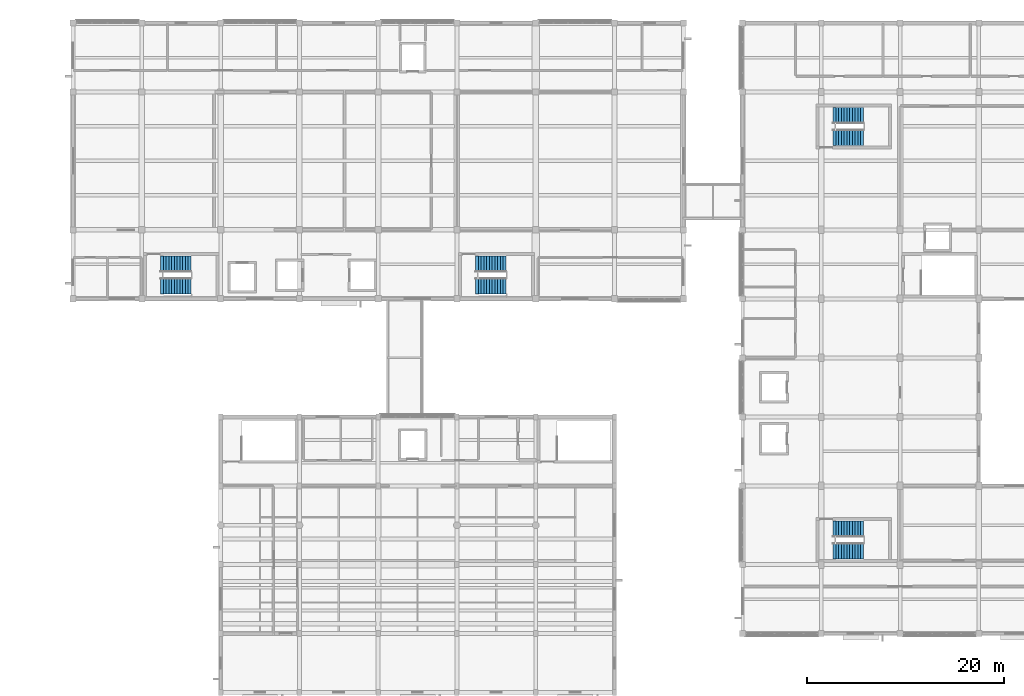
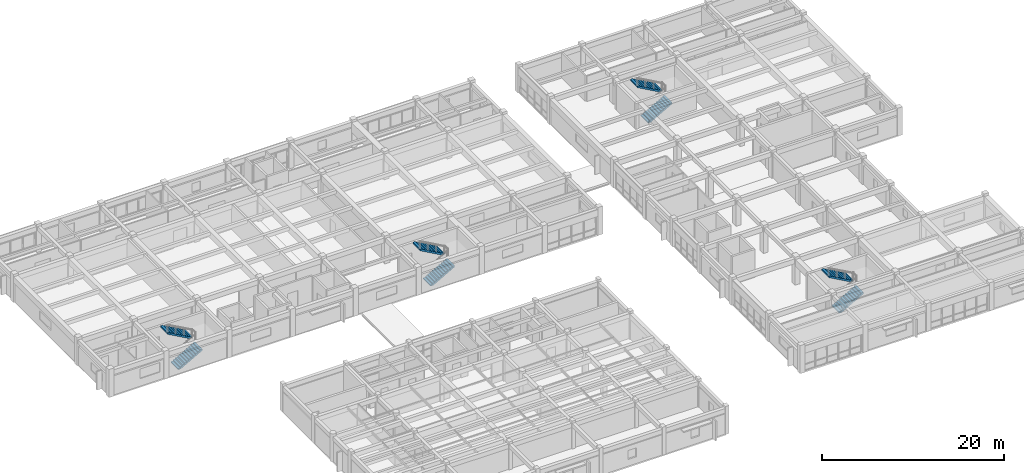
# One storey, part 29 of 33: 8 stair flights, 4 elements without a shape of their own.
"""IFC4 building model written with IfcOpenShell, lengths in metres."""

import ifcopenshell
import ifcopenshell.guid

model = None  # the IFC model being written
_history = None  # IfcOwnerHistory: only IFC2X3 demands one
_inside = {}  # id of a spatial element -> (the spatial element, [elements in it])
_under = {}  # id of a project, library or spatial element -> (it, [spatial elements below it])
_declared = {}  # id of a project -> (the project, [libraries it declares])
_typed = {}  # id of a type object -> (the type object, [elements of that type])
_made_of = {}  # id of a material, layer set ... -> (it, [elements and type objects made of it])


def new_model(schema):
    """Start an empty IFC model of exactly this schema.

    Asked for "IFC4X3", IfcOpenShell would pick the latest addendum, in which some entities
    have other attributes; the version numbers below select the first issue.
    IFC2X3 requires an IfcOwnerHistory on every rooted entity: one is made here for all.
    """
    global model, _history
    if schema == "IFC4X3":
        model = ifcopenshell.file(schema_version=(4, 3, 0, 0))
    else:
        model = ifcopenshell.file(schema=schema)
    _inside.clear()
    _under.clear()
    _declared.clear()
    _typed.clear()
    _made_of.clear()
    _history = None
    if model.schema == "IFC2X3":
        org = make("IfcOrganization", Name="unknown")
        user = make(
            "IfcPersonAndOrganization",
            ThePerson=make("IfcPerson", FamilyName="unknown"),
            TheOrganization=org,
        )
        app = make(
            "IfcApplication",
            ApplicationDeveloper=org,
            Version="unknown",
            ApplicationFullName="unknown",
            ApplicationIdentifier="unknown",
        )
        _history = make(
            "IfcOwnerHistory",
            OwningUser=user,
            OwningApplication=app,
            ChangeAction="ADDED",
            CreationDate=0,
        )
    return model


def make(cls, **values):
    """One entity of the class cls with the attributes given. An attribute that is None is left unset."""
    return model.create_entity(
        cls, **{name: value for name, value in values.items() if value is not None}
    )


def rooted(cls, **values):
    """An entity with a GlobalId (a new one), such as an element, a storey or a relation."""
    return make(cls, GlobalId=ifcopenshell.guid.new(), OwnerHistory=_history, **values)


def si_unit(unit_type, name, prefix=None):
    """IfcSIUnit, for example si_unit("LENGTHUNIT", "METRE", prefix="MILLI")."""
    return make("IfcSIUnit", UnitType=unit_type, Prefix=prefix, Name=name)


def assignment(units):
    """IfcUnitAssignment: the units of a project."""
    return None if units is None else make("IfcUnitAssignment", Units=units)


def point(xyz):
    """IfcCartesianPoint."""
    return None if xyz is None else make("IfcCartesianPoint", Coordinates=xyz)


def direction(xyz):
    """IfcDirection."""
    return None if xyz is None else make("IfcDirection", DirectionRatios=xyz)


def frame(location, z_axis=None, x_axis=None):
    """IfcAxis2Placement3D, a coordinate frame: its origin and axes. An axis left out is left unset."""
    return make(
        "IfcAxis2Placement3D",
        Location=point(location),
        Axis=direction(z_axis),
        RefDirection=direction(x_axis),
    )


def origin():
    """The frame at (0, 0, 0) with its axes left unset."""
    return frame((0.0, 0.0, 0.0))


def place(relative_to, where):
    """IfcLocalPlacement: puts the frame where relative to a parent placement (None: the world)."""
    return make(
        "IfcLocalPlacement", PlacementRelTo=relative_to, RelativePlacement=where
    )


def context(
    kind, dimensions, precision=None, world=None, true_north=None, identifier=None
):
    """IfcGeometricRepresentationContext, for example the 3D "Model" context."""
    return make(
        "IfcGeometricRepresentationContext",
        ContextIdentifier=identifier,
        ContextType=kind,
        CoordinateSpaceDimension=dimensions,
        Precision=precision,
        WorldCoordinateSystem=world,
        TrueNorth=true_north,
    )


def subcontext(parent, identifier, kind, view, scale=None):
    """IfcGeometricRepresentationSubContext, for example "Body" below "Model"."""
    return make(
        "IfcGeometricRepresentationSubContext",
        ContextIdentifier=identifier,
        ContextType=kind,
        ParentContext=parent,
        TargetScale=scale,
        TargetView=view,
    )


def project(units=None, contexts=None):
    """IfcProject with its units and contexts."""
    return rooted(
        "IfcProject",
        Name="project",
        RepresentationContexts=contexts,
        UnitsInContext=assignment(units),
    )


def spatial(cls, under=None, at=None, **own):
    """A site, building, storey or space (cls), placed at a placement, below another one or the project."""
    s = rooted(cls, ObjectPlacement=at, **own)
    if under is not None:
        _under.setdefault(under.id(), (under, []))[1].append(s)
    return s


def polyline(points):
    """IfcPolyline through the points."""
    return make("IfcPolyline", Points=[point(p) for p in points])


def outline(outer, holes=None, kind="AREA"):
    """IfcArbitraryClosedProfileDef: a profile drawn as a closed curve; with holes, ...WithVoids."""
    if holes is None:
        return make("IfcArbitraryClosedProfileDef", ProfileType=kind, OuterCurve=outer)
    return make(
        "IfcArbitraryProfileDefWithVoids",
        ProfileType=kind,
        OuterCurve=outer,
        InnerCurves=holes,
    )


def extrude(swept, where, along, depth):
    """IfcExtrudedAreaSolid: the profile swept, set in the frame where, extruded along a direction by depth."""
    return make(
        "IfcExtrudedAreaSolid",
        SweptArea=swept,
        Position=where,
        ExtrudedDirection=direction(along),
        Depth=depth,
    )


def shape(context_of_items, identifier, shape_type, items):
    """IfcShapeRepresentation: the items that make up one representation, for example the "Body"."""
    return make(
        "IfcShapeRepresentation",
        ContextOfItems=context_of_items,
        RepresentationIdentifier=identifier,
        RepresentationType=shape_type,
        Items=items,
    )


def material(Name=None, Category=None):
    """IfcMaterial."""
    return make("IfcMaterial", Name=Name, Category=Category)


def made_of(thing, what):
    """Note that an element or type object is made of a material, layer set ...; save() writes the relation."""
    if what is not None:
        _made_of.setdefault(what.id(), (what, []))[1].append(thing)
    return thing


def type_object(cls, material=None, **own):
    """A type object (cls), such as IfcWallType, which elements share."""
    return made_of(rooted(cls, **own), material)


def element(
    cls,
    number,
    at=None,
    inside=None,
    cuts=None,
    type_object=None,
    material=None,
    context=None,
    identifier="Body",
    shape_type=None,
    held_by="IfcProductDefinitionShape",
    body=None,
    shapes=None,
    **own,
):
    """One element of the class cls, such as IfcWall. Its Tag is "e" and its number.

    at: its placement. inside: the storey or other place that contains it. cuts: it is an
    opening in that element (IfcRelVoidsElement). A single representation is given by context,
    identifier, shape_type and body (its items); several are given by shapes. held_by: the class
    of the entity that holds the representations. save() writes the other relations.
    """
    e = rooted(cls, Tag="e%d" % number, ObjectPlacement=at, **own)
    if body is not None:
        shapes = [shape(context, identifier, shape_type, body)]
    if shapes is not None:
        e.Representation = make(held_by, Representations=shapes)
    if inside is not None:
        _inside.setdefault(inside.id(), (inside, []))[1].append(e)
    if cuts is not None:
        rooted(
            "IfcRelVoidsElement", RelatingBuildingElement=cuts, RelatedOpeningElement=e
        )
    if type_object is not None:
        _typed.setdefault(type_object.id(), (type_object, []))[1].append(e)
    return made_of(e, material)


def aggregate(whole, parts):
    """IfcRelAggregates: a whole, such as a stair, and the parts it consists of."""
    return rooted("IfcRelAggregates", RelatingObject=whole, RelatedObjects=parts)


def save(model, path):
    """Write the relations noted so far, then the file.

    IfcRelAggregates (storeys below a building ...), IfcRelContainedInSpatialStructure (elements
    in a storey), IfcRelDefinesByType, IfcRelAssociatesMaterial and IfcRelDeclares: one each for
    every whole, place, type object, material and project.
    """
    for whole, parts in _under.values():
        aggregate(whole, parts)
    for where, things in _inside.values():
        rooted(
            "IfcRelContainedInSpatialStructure",
            RelatedElements=things,
            RelatingStructure=where,
        )
    for kind, things in _typed.values():
        rooted("IfcRelDefinesByType", RelatedObjects=things, RelatingType=kind)
    for what, things in _made_of.values():
        rooted("IfcRelAssociatesMaterial", RelatedObjects=things, RelatingMaterial=what)
    for by, libraries in _declared.values():
        rooted("IfcRelDeclares", RelatingContext=by, RelatedDefinitions=libraries)
    model.write(path)


model = new_model("IFC4")

# Units and contexts
model_context = context("Model", 3, precision=1e-05, world=origin(), true_north=direction((0.0, 1.0)))
body_context = subcontext(model_context, "Body", "Model", "MODEL_VIEW")
ifc_project = project(units=[si_unit("LENGTHUNIT", "METRE"), si_unit("AREAUNIT", "SQUARE_METRE"), si_unit("VOLUMEUNIT", "CUBIC_METRE"), si_unit("PLANEANGLEUNIT", "RADIAN"), si_unit("MASSUNIT", "GRAM", prefix="KILO")], contexts=[model_context])

# Site, building, storey
site_placement = place(None, origin())
site = spatial("IfcSite", under=ifc_project, at=site_placement, CompositionType="ELEMENT")
building_placement = place(site_placement, origin())
building = spatial("IfcBuilding", under=site, at=building_placement, Name="Naurynzar Civic Courthouse", CompositionType="ELEMENT")
storey_placement = place(building_placement, frame((0.0, 0.0, 22.050048828125)))
storey = spatial("IfcBuildingStorey", under=building, at=storey_placement, Name="L06", CompositionType="ELEMENT", Elevation=22.050048828125)

# Stair, stair flights
ifc_material_1 = material(Name="Concrete C35/45", Category="concrete")
stair_type = type_object("IfcStairType", Name="STAIR-CORE-1600", PredefinedType="TWO_STRAIGHT_RUN_STAIR", material=ifc_material_1)
stair_1_placement = place(storey_placement, origin())
stair_1 = element("IfcStair", 1, at=stair_1_placement, inside=storey, type_object=stair_type, Name="Enclosed escape stair ST-V2A L06", PredefinedType="TWO_STRAIGHT_RUN_STAIR")
ifc_material_2 = material(Name="Concrete C35/45", Category="concrete")
stair_flight_type = type_object("IfcStairFlightType", Name="FLIGHT-RC-1600", PredefinedType="STRAIGHT", material=ifc_material_2)
stair_flight_1_placement = place(storey_placement, frame((70.89990234375, 45.280029296875, 0.0), z_axis=(0.0, 0.0, 1.0), x_axis=(1.0, 0.0, 0.0)))
stair_flight_1 = element("IfcStairFlight", 2, at=stair_flight_1_placement, type_object=stair_flight_type, Name="ST-V2A-L06 flight 1", NumberOfRisers=12, NumberOfTreads=11, PredefinedType="STRAIGHT", RiserHeight=0.15625, TreadLength=0.28, context=body_context, shape_type="SweptSolid", body=[
    extrude(outline(polyline([(0.0, 0.0), (0.0, 0.15625), (0.280029296875, 0.15625), (0.280029296875, 0.3125), (0.56005859375, 0.3125), (0.56005859375, 0.46875), (0.840087890625, 0.46875), (0.840087890625, 0.625), (1.1201171875, 0.625), (1.1201171875, 0.78125), (1.39990234375, 0.78125), (1.39990234375, 0.9375), (1.679931640625, 0.9375), (1.679931640625, 1.09375), (1.9599609375, 1.09375), (1.9599609375, 1.25), (2.239990234375, 1.25), (2.239990234375, 1.40625), (2.52001953125, 1.40625), (2.52001953125, 1.5625), (2.800048828125, 1.5625), (2.800048828125, 1.71875), (3.080078125, 1.71875), (3.080078125, 1.875), (3.080078125, 1.5126953125), (0.369140625, 0.0), (0.0, 0.0)])), frame((0.0, 0.800048828125, 0.0), z_axis=(0.0, -1.0, 0.0), x_axis=(1.0, 0.0, 0.0)), (0.0, 0.0, 1.0), 1.60009765625),
])
stair_flight_2_placement = place(storey_placement, frame((73.97998046875, 47.52001953125, 1.875), z_axis=(0.0, 0.0, 1.0), x_axis=(-1.0, 0.0, 0.0)))
stair_flight_2 = element("IfcStairFlight", 3, at=stair_flight_2_placement, type_object=stair_flight_type, Name="ST-V2A-L06 flight 2", NumberOfRisers=12, NumberOfTreads=11, PredefinedType="STRAIGHT", RiserHeight=0.15625, TreadLength=0.28, context=body_context, shape_type="SweptSolid", body=[
    extrude(outline(polyline([(0.0, 0.0), (0.0, 0.15625), (0.280029296875, 0.15625), (0.280029296875, 0.3125), (0.56005859375, 0.3125), (0.56005859375, 0.46875), (0.840087890625, 0.46875), (0.840087890625, 0.625), (1.1201171875, 0.625), (1.1201171875, 0.78125), (1.39990234375, 0.78125), (1.39990234375, 0.9375), (1.679931640625, 0.9375), (1.679931640625, 1.09375), (1.9599609375, 1.09375), (1.9599609375, 1.25), (2.239990234375, 1.25), (2.239990234375, 1.40625), (2.52001953125, 1.40625), (2.52001953125, 1.5625), (2.800048828125, 1.5625), (2.800048828125, 1.71875), (3.080078125, 1.71875), (3.080078125, 1.875), (3.080078125, 1.5126953125), (0.369140625, 0.0), (0.0, 0.0)])), frame((0.0, 0.800048828125, 0.0), z_axis=(0.0, -1.0, 0.0), x_axis=(1.0, 0.0, 0.0)), (0.0, 0.0, 1.0), 1.60009765625),
])
aggregate(stair_1, [stair_flight_1, stair_flight_2])

stair_2_placement = place(storey_placement, origin())
stair_2 = element("IfcStair", 4, at=stair_2_placement, inside=storey, type_object=stair_type, Name="Enclosed escape stair ST-V2B L06", PredefinedType="TWO_STRAIGHT_RUN_STAIR")
stair_flight_3_placement = place(storey_placement, frame((102.89990234375, 45.280029296875, 0.0), z_axis=(0.0, 0.0, 1.0), x_axis=(1.0, 0.0, 0.0)))
stair_flight_3 = element("IfcStairFlight", 5, at=stair_flight_3_placement, type_object=stair_flight_type, Name="ST-V2B-L06 flight 1", NumberOfRisers=12, NumberOfTreads=11, PredefinedType="STRAIGHT", RiserHeight=0.15625, TreadLength=0.28, context=body_context, shape_type="SweptSolid", body=[
    extrude(outline(polyline([(0.0, 0.0), (0.0, 0.15625), (0.280029296875, 0.15625), (0.280029296875, 0.3125), (0.56005859375, 0.3125), (0.56005859375, 0.46875), (0.840087890625, 0.46875), (0.840087890625, 0.625), (1.1201171875, 0.625), (1.1201171875, 0.78125), (1.39990234375, 0.78125), (1.39990234375, 0.9375), (1.679931640625, 0.9375), (1.679931640625, 1.09375), (1.9599609375, 1.09375), (1.9599609375, 1.25), (2.239990234375, 1.25), (2.239990234375, 1.40625), (2.52001953125, 1.40625), (2.52001953125, 1.5625), (2.800048828125, 1.5625), (2.800048828125, 1.71875), (3.080078125, 1.71875), (3.080078125, 1.875), (3.080078125, 1.5126953125), (0.369140625, 0.0), (0.0, 0.0)])), frame((0.0, 0.800048828125, 0.0), z_axis=(0.0, -1.0, 0.0), x_axis=(1.0, 0.0, 0.0)), (0.0, 0.0, 1.0), 1.60009765625),
])
stair_flight_4_placement = place(storey_placement, frame((105.97998046875, 47.52001953125, 1.875), z_axis=(0.0, 0.0, 1.0), x_axis=(-1.0, 0.0, 0.0)))
stair_flight_4 = element("IfcStairFlight", 6, at=stair_flight_4_placement, type_object=stair_flight_type, Name="ST-V2B-L06 flight 2", NumberOfRisers=12, NumberOfTreads=11, PredefinedType="STRAIGHT", RiserHeight=0.15625, TreadLength=0.28, context=body_context, shape_type="SweptSolid", body=[
    extrude(outline(polyline([(0.0, 0.0), (0.0, 0.15625), (0.280029296875, 0.15625), (0.280029296875, 0.3125), (0.56005859375, 0.3125), (0.56005859375, 0.46875), (0.840087890625, 0.46875), (0.840087890625, 0.625), (1.1201171875, 0.625), (1.1201171875, 0.78125), (1.39990234375, 0.78125), (1.39990234375, 0.9375), (1.679931640625, 0.9375), (1.679931640625, 1.09375), (1.9599609375, 1.09375), (1.9599609375, 1.25), (2.239990234375, 1.25), (2.239990234375, 1.40625), (2.52001953125, 1.40625), (2.52001953125, 1.5625), (2.800048828125, 1.5625), (2.800048828125, 1.71875), (3.080078125, 1.71875), (3.080078125, 1.875), (3.080078125, 1.5126953125), (0.369140625, 0.0), (0.0, 0.0)])), frame((0.0, 0.800048828125, 0.0), z_axis=(0.0, -1.0, 0.0), x_axis=(1.0, 0.0, 0.0)), (0.0, 0.0, 1.0), 1.60009765625),
])
aggregate(stair_2, [stair_flight_3, stair_flight_4])

stair_3_placement = place(storey_placement, origin())
stair_3 = element("IfcStair", 7, at=stair_3_placement, inside=storey, type_object=stair_type, Name="Enclosed escape stair ST-V5A L06", PredefinedType="TWO_STRAIGHT_RUN_STAIR")
stair_flight_5_placement = place(storey_placement, frame((139.199951171875, 18.3798828125, 0.0), z_axis=(0.0, 0.0, 1.0), x_axis=(1.0, 0.0, 0.0)))
stair_flight_5 = element("IfcStairFlight", 8, at=stair_flight_5_placement, type_object=stair_flight_type, Name="ST-V5A-L06 flight 1", NumberOfRisers=12, NumberOfTreads=11, PredefinedType="STRAIGHT", RiserHeight=0.15625, TreadLength=0.28, context=body_context, shape_type="SweptSolid", body=[
    extrude(outline(polyline([(0.0, 0.0), (0.0, 0.15625), (0.280029296875, 0.15625), (0.280029296875, 0.3125), (0.56005859375, 0.3125), (0.56005859375, 0.46875), (0.840087890625, 0.46875), (0.840087890625, 0.625), (1.1201171875, 0.625), (1.1201171875, 0.78125), (1.39990234375, 0.78125), (1.39990234375, 0.9375), (1.679931640625, 0.9375), (1.679931640625, 1.09375), (1.9599609375, 1.09375), (1.9599609375, 1.25), (2.239990234375, 1.25), (2.239990234375, 1.40625), (2.52001953125, 1.40625), (2.52001953125, 1.5625), (2.800048828125, 1.5625), (2.800048828125, 1.71875), (3.080078125, 1.71875), (3.080078125, 1.875), (3.080078125, 1.5126953125), (0.369140625, 0.0), (0.0, 0.0)])), frame((0.0, 0.800048828125, 0.0), z_axis=(0.0, -1.0, 0.0), x_axis=(1.0, 0.0, 0.0)), (0.0, 0.0, 1.0), 1.60009765625),
])
stair_flight_6_placement = place(storey_placement, frame((142.280029296875, 20.6201171875, 1.875), z_axis=(0.0, 0.0, 1.0), x_axis=(-1.0, 0.0, 0.0)))
stair_flight_6 = element("IfcStairFlight", 9, at=stair_flight_6_placement, type_object=stair_flight_type, Name="ST-V5A-L06 flight 2", NumberOfRisers=12, NumberOfTreads=11, PredefinedType="STRAIGHT", RiserHeight=0.15625, TreadLength=0.28, context=body_context, shape_type="SweptSolid", body=[
    extrude(outline(polyline([(0.0, 0.0), (0.0, 0.15625), (0.280029296875, 0.15625), (0.280029296875, 0.3125), (0.56005859375, 0.3125), (0.56005859375, 0.46875), (0.840087890625, 0.46875), (0.840087890625, 0.625), (1.1201171875, 0.625), (1.1201171875, 0.78125), (1.39990234375, 0.78125), (1.39990234375, 0.9375), (1.679931640625, 0.9375), (1.679931640625, 1.09375), (1.9599609375, 1.09375), (1.9599609375, 1.25), (2.239990234375, 1.25), (2.239990234375, 1.40625), (2.52001953125, 1.40625), (2.52001953125, 1.5625), (2.800048828125, 1.5625), (2.800048828125, 1.71875), (3.080078125, 1.71875), (3.080078125, 1.875), (3.080078125, 1.5126953125), (0.369140625, 0.0), (0.0, 0.0)])), frame((0.0, 0.800048828125, 0.0), z_axis=(0.0, -1.0, 0.0), x_axis=(1.0, 0.0, 0.0)), (0.0, 0.0, 1.0), 1.60009765625),
])
aggregate(stair_3, [stair_flight_5, stair_flight_6])

stair_4_placement = place(storey_placement, origin())
stair_4 = element("IfcStair", 10, at=stair_4_placement, inside=storey, type_object=stair_type, Name="Enclosed escape stair ST-V5B L06", PredefinedType="TWO_STRAIGHT_RUN_STAIR")
stair_flight_7_placement = place(storey_placement, frame((139.199951171875, 60.3798828125, 0.0), z_axis=(0.0, 0.0, 1.0), x_axis=(1.0, 0.0, 0.0)))
stair_flight_7 = element("IfcStairFlight", 11, at=stair_flight_7_placement, type_object=stair_flight_type, Name="ST-V5B-L06 flight 1", NumberOfRisers=12, NumberOfTreads=11, PredefinedType="STRAIGHT", RiserHeight=0.15625, TreadLength=0.28, context=body_context, shape_type="SweptSolid", body=[
    extrude(outline(polyline([(0.0, 0.0), (0.0, 0.15625), (0.280029296875, 0.15625), (0.280029296875, 0.3125), (0.56005859375, 0.3125), (0.56005859375, 0.46875), (0.840087890625, 0.46875), (0.840087890625, 0.625), (1.1201171875, 0.625), (1.1201171875, 0.78125), (1.39990234375, 0.78125), (1.39990234375, 0.9375), (1.679931640625, 0.9375), (1.679931640625, 1.09375), (1.9599609375, 1.09375), (1.9599609375, 1.25), (2.239990234375, 1.25), (2.239990234375, 1.40625), (2.52001953125, 1.40625), (2.52001953125, 1.5625), (2.800048828125, 1.5625), (2.800048828125, 1.71875), (3.080078125, 1.71875), (3.080078125, 1.875), (3.080078125, 1.5126953125), (0.369140625, 0.0), (0.0, 0.0)])), frame((0.0, 0.800048828125, 0.0), z_axis=(0.0, -1.0, 0.0), x_axis=(1.0, 0.0, 0.0)), (0.0, 0.0, 1.0), 1.60009765625),
])
stair_flight_8_placement = place(storey_placement, frame((142.280029296875, 62.6201171875, 1.875), z_axis=(0.0, 0.0, 1.0), x_axis=(-1.0, 0.0, 0.0)))
stair_flight_8 = element("IfcStairFlight", 12, at=stair_flight_8_placement, type_object=stair_flight_type, Name="ST-V5B-L06 flight 2", NumberOfRisers=12, NumberOfTreads=11, PredefinedType="STRAIGHT", RiserHeight=0.15625, TreadLength=0.28, context=body_context, shape_type="SweptSolid", body=[
    extrude(outline(polyline([(0.0, 0.0), (0.0, 0.15625), (0.280029296875, 0.15625), (0.280029296875, 0.3125), (0.56005859375, 0.3125), (0.56005859375, 0.46875), (0.840087890625, 0.46875), (0.840087890625, 0.625), (1.1201171875, 0.625), (1.1201171875, 0.78125), (1.39990234375, 0.78125), (1.39990234375, 0.9375), (1.679931640625, 0.9375), (1.679931640625, 1.09375), (1.9599609375, 1.09375), (1.9599609375, 1.25), (2.239990234375, 1.25), (2.239990234375, 1.40625), (2.52001953125, 1.40625), (2.52001953125, 1.5625), (2.800048828125, 1.5625), (2.800048828125, 1.71875), (3.080078125, 1.71875), (3.080078125, 1.875), (3.080078125, 1.5126953125), (0.369140625, 0.0), (0.0, 0.0)])), frame((0.0, 0.800048828125, 0.0), z_axis=(0.0, -1.0, 0.0), x_axis=(1.0, 0.0, 0.0)), (0.0, 0.0, 1.0), 1.60009765625),
])
aggregate(stair_4, [stair_flight_7, stair_flight_8])

save(model, "model.ifc")
